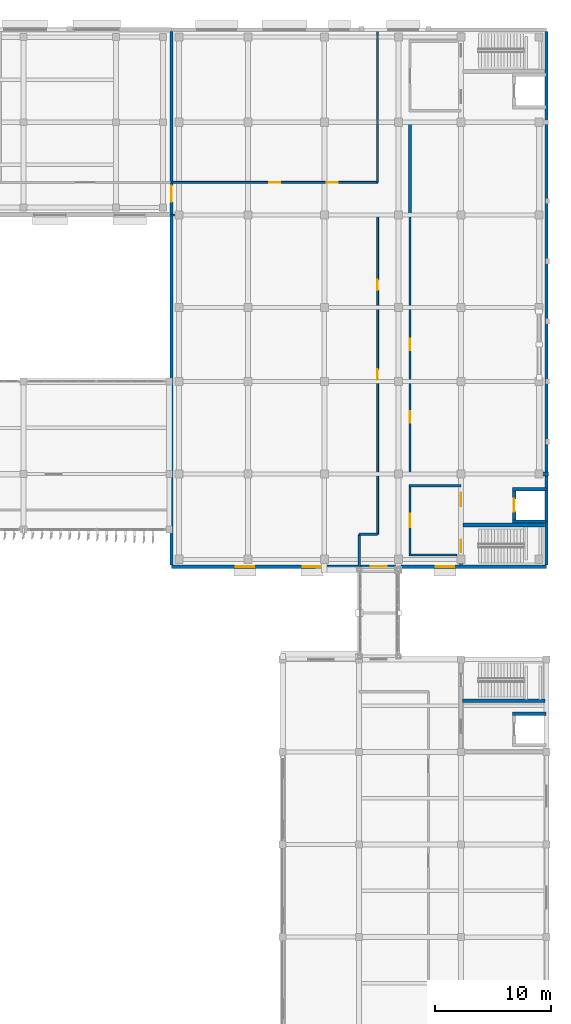
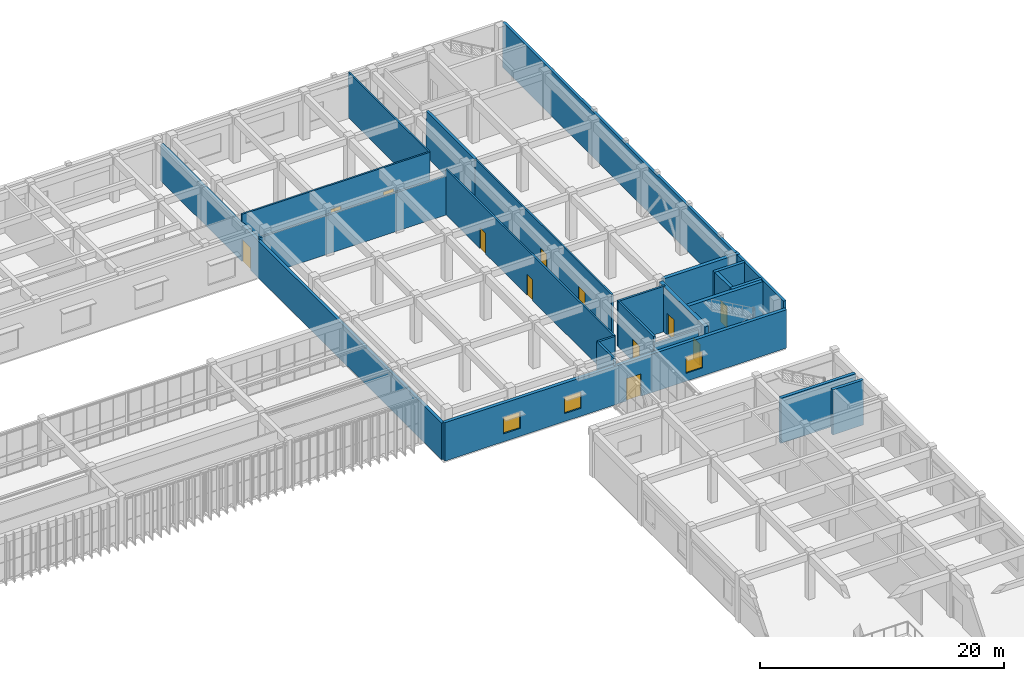
# One storey, part 44 of 64: 22 walls, 12 doors, 3 windows, 15 openings.
"""IFC4 building model written with IfcOpenShell, lengths in metres."""

from ifc_helpers import new_model, si_unit, direction, frame, frame_2d, origin, place, context, subcontext, project, spatial, rectangle, extrude, material, layer, layer_set, type_object, element, fill, save


model = new_model("IFC4")

# Units and contexts
model_context = context("Model", 3, precision=1e-05, world=origin(), true_north=direction((0.0, 1.0)))
body_context = subcontext(model_context, "Body", "Model", "MODEL_VIEW")
ifc_project = project(units=[si_unit("LENGTHUNIT", "METRE"), si_unit("AREAUNIT", "SQUARE_METRE"), si_unit("VOLUMEUNIT", "CUBIC_METRE"), si_unit("PLANEANGLEUNIT", "RADIAN"), si_unit("MASSUNIT", "GRAM", prefix="KILO")], contexts=[model_context])

# Site, building, storey
site_placement = place(None, origin())
site = spatial("IfcSite", under=ifc_project, at=site_placement, CompositionType="ELEMENT")
building_placement = place(site_placement, origin())
building = spatial("IfcBuilding", under=site, at=building_placement, Name="Cinchona Park Media Centre", CompositionType="ELEMENT")
storey_placement = place(building_placement, frame((0.0, 0.0, 5.39990234375)))
storey = spatial("IfcBuildingStorey", under=building, at=storey_placement, Name="L01", CompositionType="ELEMENT", Elevation=5.39990234375)

# Walls
ifc_material_1 = material(Name="Acoustic Double-Stud Gypsum Partition", Category="gypsum")
ifc_layer_1 = layer(ifc_material_1, 0.2099609375)
ifc_layer_set_1 = layer_set([ifc_layer_1], Name="Acoustic Double-Stud Gypsum Partition")
wall_type_1 = type_object("IfcWallType", Name="WALL-W-AC210", PredefinedType="PARTITIONING", material=ifc_layer_set_1)
wall_1_placement = place(storey_placement, frame((155.800048828125, 71.60009765625, 0.0), z_axis=(0.0, 0.0, 1.0), x_axis=(0.0, 1.0, 0.0)))
element("IfcWall", 1, at=wall_1_placement, inside=storey, type_object=wall_type_1, Name="Interior Wall W-AC210 L01", PredefinedType="PARTITIONING", context=body_context, shape_type="SweptSolid", body=[
    extrude(rectangle(XDim=2.7998046875, YDim=0.2099609375, at=frame_2d((1.39990234375, 0.0))), origin(), (0.0, 0.0, 1.0), 4.550048828125),
])
ifc_material_2 = material(Name="Acoustic Double-Stud Gypsum Partition", Category="gypsum")
ifc_layer_2 = layer(ifc_material_2, 0.239990234375)
ifc_layer_set_2 = layer_set([ifc_layer_2], Name="Acoustic Double-Stud Gypsum Partition")
wall_type_2 = type_object("IfcWallType", Name="WALL-W-AC240", PredefinedType="PARTITIONING", material=ifc_layer_set_2)
wall_2_placement = place(storey_placement, frame((160.199951171875, 110.0, 0.0), z_axis=(0.0, 0.0, 1.0), x_axis=(0.0, -1.0, 0.0)))
element("IfcWall", 2, at=wall_2_placement, inside=storey, type_object=wall_type_2, Name="Interior Wall W-AC240 L01", PredefinedType="PARTITIONING", context=body_context, shape_type="SweptSolid", body=[
    extrude(rectangle(XDim=8.0, YDim=0.239990234375, at=frame_2d((4.0, 0.0))), origin(), (0.0, 0.0, 1.0), 4.550048828125),
])
ifc_material_3 = material(Name="Concrete C40/50", Category="concrete")
ifc_layer_3 = layer(ifc_material_3, 0.300048828125)
ifc_layer_set_3 = layer_set([ifc_layer_3], Name="Concrete C40/50")
wall_type_3 = type_object("IfcWallType", Name="WALL-W-CR300", PredefinedType="SHEAR", material=ifc_layer_set_3)
wall_3_placement = place(storey_placement, frame((164.75, 60.0, 0.0), z_axis=(0.0, 0.0, 1.0), x_axis=(1.0, 0.0, 0.0)))
element("IfcWall", 3, at=wall_3_placement, inside=storey, type_object=wall_type_3, Name="Core Shear Wall W-CR300 L01", PredefinedType="SHEAR", context=body_context, shape_type="SweptSolid", body=[
    extrude(rectangle(XDim=7.10009765625, YDim=0.300048828125, at=frame_2d((3.550048828125, 0.0))), origin(), (0.0, 0.0, 1.0), 4.52001953125),
])
ifc_material_4 = material(Name="Concrete C40/50", Category="concrete")
ifc_layer_4 = layer(ifc_material_4, 0.35009765625)
ifc_layer_set_4 = layer_set([ifc_layer_4], Name="Concrete C40/50")
wall_type_4 = type_object("IfcWallType", Name="WALL-W-CR350", PredefinedType="SHEAR", material=ifc_layer_set_4)
wall_4_placement = place(storey_placement, frame((164.951904296875, 79.60009765625, 0.0), z_axis=(0.0, 0.0, 1.0), x_axis=(1.0, 0.0, 0.0)))
element("IfcWall", 4, at=wall_4_placement, inside=storey, type_object=wall_type_4, Name="Core Shear Wall W-CR350 L01", PredefinedType="SHEAR", context=body_context, shape_type="SweptSolid", body=[
    extrude(rectangle(XDim=7.22314453125, YDim=0.35009765625, at=frame_2d((3.611572265625, 0.0))), origin(), (0.0, 0.0, 1.0), 4.550048828125),
])

# Wall, openings, doors
wall_5_placement = place(storey_placement, frame((164.60009765625, 71.77490234375, 0.0), z_axis=(0.0, 0.0, 1.0), x_axis=(0.0, 1.0, 0.0)))
wall_5 = element("IfcWall", 5, at=wall_5_placement, inside=storey, type_object=wall_type_4, Name="Core Shear Wall W-CR350 L01", PredefinedType="SHEAR", context=body_context, shape_type="SweptSolid", body=[
    extrude(rectangle(XDim=7.47314453125, YDim=0.35009765625, at=frame_2d((3.736572265625, 0.0))), origin(), (0.0, 0.0, 1.0), 4.550048828125),
])
opening_1_placement = place(wall_5_placement, frame((1.074951171875, 0.0, 0.0)))
opening_1 = element("IfcOpeningElement", 6, at=opening_1_placement, cuts=wall_5, Name="Opening D058", PredefinedType="OPENING", context=body_context, shape_type="SweptSolid", body=[
    extrude(rectangle(XDim=1.10009765625, YDim=2.14990234375, at=frame_2d((0.550048828125, 1.074951171875))), frame((0.0, 0.18505859375, 0.0), z_axis=(0.0, -1.0, 0.0), x_axis=(1.0, 0.0, 0.0)), (0.0, 0.0, 1.0), 0.3701171875),
])
opening_2_placement = place(wall_5_placement, frame((5.050048828125, 0.0, 0.0)))
opening_2 = element("IfcOpeningElement", 7, at=opening_2_placement, cuts=wall_5, Name="Opening D059", PredefinedType="OPENING", context=body_context, shape_type="SweptSolid", body=[
    extrude(rectangle(XDim=1.14990234375, YDim=2.199951171875, at=frame_2d((0.574951171875, 1.10009765625))), frame((0.0, 0.18505859375, 0.0), z_axis=(0.0, -1.0, 0.0), x_axis=(1.0, 0.0, 0.0)), (0.0, 0.0, 1.0), 0.3701171875),
])
ifc_material_5 = material(Name="Insulated Fire-Rated Steel Door", Category="steel")
door_type_1 = type_object("IfcDoorType", Name="DOOR-DT-FF", OperationType="NOTDEFINED", PredefinedType="DOOR", material=ifc_material_5)
door_1_placement = place(opening_2_placement, origin())
door_1 = element("IfcDoor", 8, at=door_1_placement, inside=storey, type_object=door_type_1, Name="Interior Door D059", OperationType="SINGLE_SWING_LEFT", OverallHeight=2.199951171875, OverallWidth=1.14990234375, PredefinedType="DOOR", context=body_context, shape_type="SweptSolid", body=[
    extrude(rectangle(XDim=1.14990234375, YDim=2.199951171875, at=frame_2d((0.574951171875, 1.10009765625))), frame((0.0, 0.02490234375, 0.0), z_axis=(0.0, -1.0, 0.0), x_axis=(1.0, 0.0, 0.0)), (0.0, 0.0, 1.0), 0.050048828125),
])
fill(opening_2, door_1)
ifc_material_6 = material(Name="Insulated Fire-Rated Steel Door", Category="steel")
door_type_2 = type_object("IfcDoorType", Name="DOOR-DT-ST", OperationType="NOTDEFINED", PredefinedType="DOOR", material=ifc_material_6)
door_2_placement = place(opening_1_placement, origin())
door_2 = element("IfcDoor", 9, at=door_2_placement, inside=storey, type_object=door_type_2, Name="Interior Door D058", OperationType="SINGLE_SWING_RIGHT", OverallHeight=2.14990234375, OverallWidth=1.10009765625, PredefinedType="DOOR", context=body_context, shape_type="SweptSolid", body=[
    extrude(rectangle(XDim=1.10009765625, YDim=2.14990234375, at=frame_2d((0.550048828125, 1.074951171875))), frame((0.0, 0.02490234375, 0.0), z_axis=(0.0, -1.0, 0.0), x_axis=(1.0, 0.0, 0.0)), (0.0, 0.0, 1.0), 0.050048828125),
])
fill(opening_1, door_2)

# Wall
wall_6_placement = place(storey_placement, frame((164.77490234375, 75.199951171875, 0.0), z_axis=(0.0, 0.0, 1.0), x_axis=(1.0, 0.0, 0.0)))
element("IfcWall", 10, at=wall_6_placement, inside=storey, type_object=wall_type_4, Name="Core Shear Wall W-CR350 L01", PredefinedType="SHEAR", context=body_context, shape_type="SweptSolid", body=[
    extrude(rectangle(XDim=7.050048828125, YDim=0.35009765625, at=frame_2d((3.52490234375, 0.0))), origin(), (0.0, 0.0, 1.0), 4.550048828125),
])

# Wall, openings, door, windows
ifc_material_7 = material(Name="Precast concrete C40/50", Category="concrete")
ifc_layer_5 = layer(ifc_material_7, 0.320068359375)
ifc_layer_set_5 = layer_set([ifc_layer_5], Name="Precast concrete C40/50")
wall_type_5 = type_object("IfcWallType", Name="WALL-W-EX02", PredefinedType="SOLIDWALL", material=ifc_layer_set_5)
wall_7_placement = place(storey_placement, frame((172.0, 71.60009765625, 0.0), z_axis=(0.0, 0.0, 1.0), x_axis=(-1.0, 0.0, 0.0)))
wall_7 = element("IfcWall", 11, at=wall_7_placement, inside=storey, type_object=wall_type_5, Name="Exterior Wall W-EX02 V7 L01", PredefinedType="SOLIDWALL", context=body_context, shape_type="SweptSolid", body=[
    extrude(rectangle(XDim=32.39990234375, YDim=0.320068359375, at=frame_2d((16.199951171875, 0.0))), origin(), (0.0, 0.0, 1.0), 3.85009765625),
])
opening_3_placement = place(wall_7_placement, frame((7.9599609375, 0.0, 0.800048828125)))
opening_3 = element("IfcOpeningElement", 12, at=opening_3_placement, cuts=wall_7, Name="Opening WN25", PredefinedType="OPENING", context=body_context, shape_type="SweptSolid", body=[
    extrude(rectangle(XDim=1.60009765625, YDim=1.64990234375, at=frame_2d((0.800048828125, 0.824951171875))), frame((0.0, 0.169921875, 0.0), z_axis=(0.0, -1.0, 0.0), x_axis=(1.0, 0.0, 0.0)), (0.0, 0.0, 1.0), 0.340087890625),
])
opening_4_placement = place(wall_7_placement, frame((19.47998046875, 0.0, 0.800048828125)))
opening_4 = element("IfcOpeningElement", 13, at=opening_4_placement, cuts=wall_7, Name="Opening WN25", PredefinedType="OPENING", context=body_context, shape_type="SweptSolid", body=[
    extrude(rectangle(XDim=1.60009765625, YDim=1.64990234375, at=frame_2d((0.800048828125, 0.824951171875))), frame((0.0, 0.169921875, 0.0), z_axis=(0.0, -1.0, 0.0), x_axis=(1.0, 0.0, 0.0)), (0.0, 0.0, 1.0), 0.340087890625),
])
opening_5_placement = place(wall_7_placement, frame((25.239990234375, 0.0, 0.800048828125)))
opening_5 = element("IfcOpeningElement", 14, at=opening_5_placement, cuts=wall_7, Name="Opening WN25", PredefinedType="OPENING", context=body_context, shape_type="SweptSolid", body=[
    extrude(rectangle(XDim=1.60009765625, YDim=1.64990234375, at=frame_2d((0.800048828125, 0.824951171875))), frame((0.0, 0.169921875, 0.0), z_axis=(0.0, -1.0, 0.0), x_axis=(1.0, 0.0, 0.0)), (0.0, 0.0, 1.0), 0.340087890625),
])
opening_6_placement = place(wall_7_placement, frame((13.800048828125, 0.0, 0.0)))
opening_6 = element("IfcOpeningElement", 15, at=opening_6_placement, cuts=wall_7, Name="Opening D136", PredefinedType="OPENING", context=body_context, shape_type="SweptSolid", body=[
    extrude(rectangle(XDim=1.39990234375, YDim=2.25, at=frame_2d((0.699951171875, 1.125))), frame((0.0, 0.169921875, 0.0), z_axis=(0.0, -1.0, 0.0), x_axis=(1.0, 0.0, 0.0)), (0.0, 0.0, 1.0), 0.340087890625),
])
ifc_material_8 = material(Name="Acoustic Double-Seal Steel Door", Category="steel")
door_type_3 = type_object("IfcDoorType", Name="DOOR-DT-AC", OperationType="NOTDEFINED", PredefinedType="DOOR", material=ifc_material_8)
door_3_placement = place(opening_6_placement, origin())
door_3 = element("IfcDoor", 16, at=door_3_placement, inside=storey, type_object=door_type_3, Name="Interior Door D136", OperationType="SINGLE_SWING_RIGHT", OverallHeight=2.25, OverallWidth=1.39990234375, PredefinedType="DOOR", context=body_context, shape_type="SweptSolid", body=[
    extrude(rectangle(XDim=1.39990234375, YDim=2.25, at=frame_2d((0.699951171875, 1.125))), frame((0.0, 0.02490234375, 0.0), z_axis=(0.0, -1.0, 0.0), x_axis=(1.0, 0.0, 0.0)), (0.0, 0.0, 1.0), 0.050048828125),
])
fill(opening_6, door_3)
ifc_material_9 = material(Name="Thermally Broken Aluminium Solar-Control Window", Category="aluminium")
window_type = type_object("IfcWindowType", Name="WIN-WN25", PartitioningType="SINGLE_PANEL", PredefinedType="WINDOW", material=ifc_material_9)
window_1_placement = place(opening_3_placement, origin())
window_1 = element("IfcWindow", 17, at=window_1_placement, inside=storey, type_object=window_type, Name="Window WN25 L01", OverallHeight=1.64990234375, OverallWidth=1.60009765625, PartitioningType="SINGLE_PANEL", PredefinedType="WINDOW", context=body_context, shape_type="SweptSolid", body=[
    extrude(rectangle(XDim=1.60009765625, YDim=1.64990234375, at=frame_2d((0.800048828125, 0.824951171875))), frame((0.0, 0.030029296875, 0.0), z_axis=(0.0, -1.0, 0.0), x_axis=(1.0, 0.0, 0.0)), (0.0, 0.0, 1.0), 0.06005859375),
])
fill(opening_3, window_1)
window_2_placement = place(opening_4_placement, origin())
window_2 = element("IfcWindow", 18, at=window_2_placement, inside=storey, type_object=window_type, Name="Window WN25 L01", OverallHeight=1.64990234375, OverallWidth=1.60009765625, PartitioningType="SINGLE_PANEL", PredefinedType="WINDOW", context=body_context, shape_type="SweptSolid", body=[
    extrude(rectangle(XDim=1.60009765625, YDim=1.64990234375, at=frame_2d((0.800048828125, 0.824951171875))), frame((0.0, 0.030029296875, 0.0), z_axis=(0.0, -1.0, 0.0), x_axis=(1.0, 0.0, 0.0)), (0.0, 0.0, 1.0), 0.06005859375),
])
fill(opening_4, window_2)
window_3_placement = place(opening_5_placement, origin())
window_3 = element("IfcWindow", 19, at=window_3_placement, inside=storey, type_object=window_type, Name="Window WN25 L01", OverallHeight=1.64990234375, OverallWidth=1.60009765625, PartitioningType="SINGLE_PANEL", PredefinedType="WINDOW", context=body_context, shape_type="SweptSolid", body=[
    extrude(rectangle(XDim=1.60009765625, YDim=1.64990234375, at=frame_2d((0.800048828125, 0.824951171875))), frame((0.0, 0.030029296875, 0.0), z_axis=(0.0, -1.0, 0.0), x_axis=(1.0, 0.0, 0.0)), (0.0, 0.0, 1.0), 0.06005859375),
])
fill(opening_5, window_3)

# Wall, opening, door
ifc_material_10 = material(Name="Precast concrete C40/50", Category="concrete")
ifc_layer_6 = layer(ifc_material_10, 0.27490234375)
ifc_layer_set_6 = layer_set([ifc_layer_6], Name="Precast concrete C40/50")
wall_type_6 = type_object("IfcWallType", Name="WALL-W-EX03", PredefinedType="SOLIDWALL", material=ifc_layer_set_6)
wall_8_placement = place(storey_placement, frame((139.60009765625, 71.739990234375, 0.0), z_axis=(0.0, 0.0, 1.0), x_axis=(0.0, 1.0, 0.0)))
wall_8 = element("IfcWall", 20, at=wall_8_placement, inside=storey, type_object=wall_type_6, Name="Exterior Wall W-EX03 V7 L01", PredefinedType="SOLIDWALL", context=body_context, shape_type="SweptSolid", body=[
    extrude(rectangle(XDim=46.1201171875, YDim=0.27490234375, at=frame_2d((23.06005859375, 0.0))), origin(), (0.0, 0.0, 1.0), 3.690185546875),
])
opening_7_placement = place(wall_8_placement, frame((31.3798828125, 0.0, 0.0)))
opening_7 = element("IfcOpeningElement", 21, at=opening_7_placement, cuts=wall_8, Name="Opening D132", PredefinedType="OPENING", context=body_context, shape_type="SweptSolid", body=[
    extrude(rectangle(XDim=1.39990234375, YDim=2.25, at=frame_2d((0.699951171875, 1.125))), frame((0.0, 0.1474609375, 0.0), z_axis=(0.0, -1.0, 0.0), x_axis=(1.0, 0.0, 0.0)), (0.0, 0.0, 1.0), 0.294921875),
])
door_4_placement = place(opening_7_placement, origin())
door_4 = element("IfcDoor", 22, at=door_4_placement, inside=storey, type_object=door_type_3, Name="Interior Door D132", OperationType="SINGLE_SWING_RIGHT", OverallHeight=2.25, OverallWidth=1.39990234375, PredefinedType="DOOR", context=body_context, shape_type="SweptSolid", body=[
    extrude(rectangle(XDim=1.39990234375, YDim=2.25, at=frame_2d((0.699951171875, 1.125))), frame((0.0, 0.02490234375, 0.0), z_axis=(0.0, -1.0, 0.0), x_axis=(1.0, 0.0, 0.0)), (0.0, 0.0, 1.0), 0.050048828125),
])
fill(opening_7, door_4)

# Walls
ifc_material_11 = material(Name="Precast concrete C40/50", Category="concrete")
ifc_layer_7 = layer(ifc_material_11, 0.25)
ifc_layer_set_7 = layer_set([ifc_layer_7], Name="Precast concrete C40/50")
wall_type_7 = type_object("IfcWallType", Name="WALL-W-EX04", PredefinedType="SOLIDWALL", material=ifc_layer_set_7)
wall_9_placement = place(storey_placement, frame((172.0, 117.860107421875, 0.0), z_axis=(0.0, 0.0, 1.0), x_axis=(0.0, -1.0, 0.0)))
element("IfcWall", 23, at=wall_9_placement, inside=storey, type_object=wall_type_7, Name="Exterior Wall W-EX04 V7 L01", PredefinedType="SOLIDWALL", context=body_context, shape_type="SweptSolid", body=[
    extrude(rectangle(XDim=46.1201171875, YDim=0.25, at=frame_2d((23.06005859375, 0.0))), origin(), (0.0, 0.0, 1.0), 4.550048828125),
])
ifc_material_12 = material(Name="Fire-Rated Gypsum Stud Partition", Category="gypsum")
ifc_layer_8 = layer(ifc_material_12, 0.14990234375)
ifc_layer_set_8 = layer_set([ifc_layer_8], Name="Fire-Rated Gypsum Stud Partition")
wall_type_8 = type_object("IfcWallType", Name="WALL-W-PT150", PredefinedType="PARTITIONING", material=ifc_layer_set_8)
wall_10_placement = place(storey_placement, frame((157.39990234375, 104.800048828125, 0.0), z_axis=(0.0, 0.0, 1.0), x_axis=(0.0, 1.0, 0.0)))
element("IfcWall", 24, at=wall_10_placement, inside=storey, type_object=wall_type_8, Name="Interior Wall W-PT150 L01", PredefinedType="PARTITIONING", context=body_context, shape_type="SweptSolid", body=[
    extrude(rectangle(XDim=13.199951171875, YDim=0.14990234375, at=frame_2d((6.60009765625, 0.0))), origin(), (0.0, 0.0, 1.0), 4.550048828125),
])

# Wall, openings, doors
wall_11_placement = place(storey_placement, frame((160.199951171875, 102.0, 0.0), z_axis=(0.0, 0.0, 1.0), x_axis=(0.0, -1.0, 0.0)))
wall_11 = element("IfcWall", 25, at=wall_11_placement, inside=storey, type_object=wall_type_8, Name="Interior Wall W-PT150 L01", PredefinedType="PARTITIONING", context=body_context, shape_type="SweptSolid", body=[
    extrude(rectangle(XDim=22.39990234375, YDim=0.14990234375, at=frame_2d((11.199951171875, 0.0))), origin(), (0.0, 0.0, 1.0), 4.550048828125),
])
opening_8_placement = place(wall_11_placement, frame((10.68994140625, 0.0, 0.0)))
opening_8 = element("IfcOpeningElement", 26, at=opening_8_placement, cuts=wall_11, Name="Opening D258", PredefinedType="OPENING", context=body_context, shape_type="SweptSolid", body=[
    extrude(rectangle(XDim=1.02001953125, YDim=2.10009765625, at=frame_2d((0.510009765625, 1.050048828125))), frame((0.0, 0.0849609375, 0.0), z_axis=(0.0, -1.0, 0.0), x_axis=(1.0, 0.0, 0.0)), (0.0, 0.0, 1.0), 0.169921875),
])
opening_9_placement = place(wall_11_placement, frame((16.9619140625, 0.0, 0.0)))
opening_9 = element("IfcOpeningElement", 27, at=opening_9_placement, cuts=wall_11, Name="Opening D259", PredefinedType="OPENING", context=body_context, shape_type="SweptSolid", body=[
    extrude(rectangle(XDim=1.02001953125, YDim=2.10009765625, at=frame_2d((0.510009765625, 1.050048828125))), frame((0.0, 0.0849609375, 0.0), z_axis=(0.0, -1.0, 0.0), x_axis=(1.0, 0.0, 0.0)), (0.0, 0.0, 1.0), 0.169921875),
])
ifc_material_13 = material(Name="Solid-Core Timber Acoustic Door", Category="wood")
door_type_4 = type_object("IfcDoorType", Name="DOOR-DT05", OperationType="NOTDEFINED", PredefinedType="DOOR", material=ifc_material_13)
door_5_placement = place(opening_8_placement, origin())
door_5 = element("IfcDoor", 28, at=door_5_placement, inside=storey, type_object=door_type_4, Name="Interior Door D258", OperationType="SINGLE_SWING_RIGHT", OverallHeight=2.10009765625, OverallWidth=1.02001953125, PredefinedType="DOOR", context=body_context, shape_type="SweptSolid", body=[
    extrude(rectangle(XDim=1.02001953125, YDim=2.10009765625, at=frame_2d((0.510009765625, 1.050048828125))), frame((0.0, 0.02490234375, 0.0), z_axis=(0.0, -1.0, 0.0), x_axis=(1.0, 0.0, 0.0)), (0.0, 0.0, 1.0), 0.050048828125),
])
fill(opening_8, door_5)
door_6_placement = place(opening_9_placement, origin())
door_6 = element("IfcDoor", 29, at=door_6_placement, inside=storey, type_object=door_type_4, Name="Interior Door D259", OperationType="SINGLE_SWING_LEFT", OverallHeight=2.10009765625, OverallWidth=1.02001953125, PredefinedType="DOOR", context=body_context, shape_type="SweptSolid", body=[
    extrude(rectangle(XDim=1.02001953125, YDim=2.10009765625, at=frame_2d((0.510009765625, 1.050048828125))), frame((0.0, 0.02490234375, 0.0), z_axis=(0.0, -1.0, 0.0), x_axis=(1.0, 0.0, 0.0)), (0.0, 0.0, 1.0), 0.050048828125),
])
fill(opening_9, door_6)

ifc_material_14 = material(Name="Fire-Rated Gypsum Stud Partition", Category="gypsum")
ifc_layer_9 = layer(ifc_material_14, 0.1650390625)
ifc_layer_set_9 = layer_set([ifc_layer_9], Name="Fire-Rated Gypsum Stud Partition")
wall_type_9 = type_object("IfcWallType", Name="WALL-W-PT165", PredefinedType="PARTITIONING", material=ifc_layer_set_9)
wall_12_placement = place(storey_placement, frame((139.60009765625, 104.800048828125, 0.0), z_axis=(0.0, 0.0, 1.0), x_axis=(1.0, 0.0, 0.0)))
wall_12 = element("IfcWall", 30, at=wall_12_placement, inside=storey, type_object=wall_type_9, Name="Interior Wall W-PT165 L01", PredefinedType="PARTITIONING", context=body_context, shape_type="SweptSolid", body=[
    extrude(rectangle(XDim=17.7998046875, YDim=0.1650390625, at=frame_2d((8.89990234375, 0.0))), origin(), (0.0, 0.0, 1.0), 4.550048828125),
])
opening_10_placement = place(wall_12_placement, frame((8.425048828125, 0.0, 0.0)))
opening_10 = element("IfcOpeningElement", 31, at=opening_10_placement, cuts=wall_12, Name="Opening D256", PredefinedType="OPENING", context=body_context, shape_type="SweptSolid", body=[
    extrude(rectangle(XDim=0.949951171875, YDim=2.10009765625, at=frame_2d((0.47509765625, 1.050048828125))), frame((0.0, 0.092529296875, 0.0), z_axis=(0.0, -1.0, 0.0), x_axis=(1.0, 0.0, 0.0)), (0.0, 0.0, 1.0), 0.18505859375),
])
opening_11_placement = place(wall_12_placement, frame((13.408935546875, 0.0, 0.0)))
opening_11 = element("IfcOpeningElement", 32, at=opening_11_placement, cuts=wall_12, Name="Opening D257", PredefinedType="OPENING", context=body_context, shape_type="SweptSolid", body=[
    extrude(rectangle(XDim=0.949951171875, YDim=2.10009765625, at=frame_2d((0.47509765625, 1.050048828125))), frame((0.0, 0.092529296875, 0.0), z_axis=(0.0, -1.0, 0.0), x_axis=(1.0, 0.0, 0.0)), (0.0, 0.0, 1.0), 0.18505859375),
])
ifc_material_15 = material(Name="Solid-Core Timber Acoustic Door", Category="wood")
door_type_5 = type_object("IfcDoorType", Name="DOOR-DT02", OperationType="NOTDEFINED", PredefinedType="DOOR", material=ifc_material_15)
door_7_placement = place(opening_10_placement, origin())
door_7 = element("IfcDoor", 33, at=door_7_placement, inside=storey, type_object=door_type_5, Name="Interior Door D256", OperationType="SINGLE_SWING_RIGHT", OverallHeight=2.10009765625, OverallWidth=0.949951171875, PredefinedType="DOOR", context=body_context, shape_type="SweptSolid", body=[
    extrude(rectangle(XDim=0.949951171875, YDim=2.10009765625, at=frame_2d((0.47509765625, 1.050048828125))), frame((0.0, 0.02490234375, 0.0), z_axis=(0.0, -1.0, 0.0), x_axis=(1.0, 0.0, 0.0)), (0.0, 0.0, 1.0), 0.050048828125),
])
fill(opening_10, door_7)
door_8_placement = place(opening_11_placement, origin())
door_8 = element("IfcDoor", 34, at=door_8_placement, inside=storey, type_object=door_type_5, Name="Interior Door D257", OperationType="SINGLE_SWING_LEFT", OverallHeight=2.10009765625, OverallWidth=0.949951171875, PredefinedType="DOOR", context=body_context, shape_type="SweptSolid", body=[
    extrude(rectangle(XDim=0.949951171875, YDim=2.10009765625, at=frame_2d((0.47509765625, 1.050048828125))), frame((0.0, 0.02490234375, 0.0), z_axis=(0.0, -1.0, 0.0), x_axis=(1.0, 0.0, 0.0)), (0.0, 0.0, 1.0), 0.050048828125),
])
fill(opening_11, door_8)

wall_13_placement = place(storey_placement, frame((157.39990234375, 74.39990234375, 0.0), z_axis=(0.0, 0.0, 1.0), x_axis=(0.0, 1.0, 0.0)))
wall_13 = element("IfcWall", 35, at=wall_13_placement, inside=storey, type_object=wall_type_9, Name="Interior Wall W-PT165 L01", PredefinedType="PARTITIONING", context=body_context, shape_type="SweptSolid", body=[
    extrude(rectangle(XDim=27.60009765625, YDim=0.1650390625, at=frame_2d((13.800048828125, 0.0))), origin(), (0.0, 0.0, 1.0), 4.550048828125),
])
opening_12_placement = place(wall_13_placement, frame((13.340087890625, 0.0, 0.0)))
opening_12 = element("IfcOpeningElement", 36, at=opening_12_placement, cuts=wall_13, Name="Opening D254", PredefinedType="OPENING", context=body_context, shape_type="SweptSolid", body=[
    extrude(rectangle(XDim=0.919921875, YDim=2.10009765625, at=frame_2d((0.4599609375, 1.050048828125))), frame((0.0, 0.092529296875, 0.0), z_axis=(0.0, -1.0, 0.0), x_axis=(1.0, 0.0, 0.0)), (0.0, 0.0, 1.0), 0.18505859375),
])
opening_13_placement = place(wall_13_placement, frame((21.068115234375, 0.0, 0.0)))
opening_13 = element("IfcOpeningElement", 37, at=opening_13_placement, cuts=wall_13, Name="Opening D255", PredefinedType="OPENING", context=body_context, shape_type="SweptSolid", body=[
    extrude(rectangle(XDim=0.919921875, YDim=2.10009765625, at=frame_2d((0.4599609375, 1.050048828125))), frame((0.0, 0.092529296875, 0.0), z_axis=(0.0, -1.0, 0.0), x_axis=(1.0, 0.0, 0.0)), (0.0, 0.0, 1.0), 0.18505859375),
])
ifc_material_16 = material(Name="Solid-Core Timber Acoustic Door", Category="wood")
door_type_6 = type_object("IfcDoorType", Name="DOOR-DT01", OperationType="NOTDEFINED", PredefinedType="DOOR", material=ifc_material_16)
door_9_placement = place(opening_12_placement, origin())
door_9 = element("IfcDoor", 38, at=door_9_placement, inside=storey, type_object=door_type_6, Name="Interior Door D254", OperationType="SINGLE_SWING_RIGHT", OverallHeight=2.10009765625, OverallWidth=0.919921875, PredefinedType="DOOR", context=body_context, shape_type="SweptSolid", body=[
    extrude(rectangle(XDim=0.919921875, YDim=2.10009765625, at=frame_2d((0.4599609375, 1.050048828125))), frame((0.0, 0.02490234375, 0.0), z_axis=(0.0, -1.0, 0.0), x_axis=(1.0, 0.0, 0.0)), (0.0, 0.0, 1.0), 0.050048828125),
])
fill(opening_12, door_9)
door_10_placement = place(opening_13_placement, origin())
door_10 = element("IfcDoor", 39, at=door_10_placement, inside=storey, type_object=door_type_6, Name="Interior Door D255", OperationType="SINGLE_SWING_LEFT", OverallHeight=2.10009765625, OverallWidth=0.919921875, PredefinedType="DOOR", context=body_context, shape_type="SweptSolid", body=[
    extrude(rectangle(XDim=0.919921875, YDim=2.10009765625, at=frame_2d((0.4599609375, 1.050048828125))), frame((0.0, 0.02490234375, 0.0), z_axis=(0.0, -1.0, 0.0), x_axis=(1.0, 0.0, 0.0)), (0.0, 0.0, 1.0), 0.050048828125),
])
fill(opening_13, door_10)

# Walls
ifc_material_17 = material(Name="Fire-Rated Gypsum Stud Partition", Category="gypsum")
ifc_layer_10 = layer(ifc_material_17, 0.18994140625)
ifc_layer_set_10 = layer_set([ifc_layer_10], Name="Fire-Rated Gypsum Stud Partition")
wall_type_10 = type_object("IfcWallType", Name="WALL-W-PT190", PredefinedType="PARTITIONING", material=ifc_layer_set_10)
wall_14_placement = place(storey_placement, frame((160.10498046875, 72.60009765625, 0.0), z_axis=(0.0, 0.0, 1.0), x_axis=(1.0, 0.0, 0.0)))
element("IfcWall", 40, at=wall_14_placement, inside=storey, type_object=wall_type_10, Name="Interior Wall W-PT190 L01", PredefinedType="PARTITIONING", context=body_context, shape_type="SweptSolid", body=[
    extrude(rectangle(XDim=4.14306640625, YDim=0.18994140625, at=frame_2d((2.071533203125, 0.0))), origin(), (0.0, 0.0, 1.0), 3.900146484375),
])
wall_15_placement = place(storey_placement, frame((160.10498046875, 78.60009765625, 0.0), z_axis=(0.0, 0.0, 1.0), x_axis=(1.0, 0.0, 0.0)))
element("IfcWall", 41, at=wall_15_placement, inside=storey, type_object=wall_type_10, Name="Interior Wall W-PT190 L01", PredefinedType="PARTITIONING", context=body_context, shape_type="SweptSolid", body=[
    extrude(rectangle(XDim=4.4951171875, YDim=0.18994140625, at=frame_2d((2.24755859375, 0.0))), origin(), (0.0, 0.0, 1.0), 4.550048828125),
])

# Wall, opening, door
wall_16_placement = place(storey_placement, frame((160.199951171875, 72.695068359375, 0.0), z_axis=(0.0, 0.0, 1.0), x_axis=(0.0, 1.0, 0.0)))
wall_16 = element("IfcWall", 42, at=wall_16_placement, inside=storey, type_object=wall_type_10, Name="Interior Wall W-PT190 L01", PredefinedType="PARTITIONING", context=body_context, shape_type="SweptSolid", body=[
    extrude(rectangle(XDim=5.809814453125, YDim=0.18994140625, at=frame_2d((2.90478515625, 0.0))), origin(), (0.0, 0.0, 1.0), 4.550048828125),
])
opening_14_placement = place(wall_16_placement, frame((2.330078125, 0.0, 0.0)))
opening_14 = element("IfcOpeningElement", 43, at=opening_14_placement, cuts=wall_16, Name="Opening D060", PredefinedType="OPENING", context=body_context, shape_type="SweptSolid", body=[
    extrude(rectangle(XDim=1.14990234375, YDim=2.199951171875, at=frame_2d((0.574951171875, 1.10009765625))), frame((0.0, 0.10498046875, 0.0), z_axis=(0.0, -1.0, 0.0), x_axis=(1.0, 0.0, 0.0)), (0.0, 0.0, 1.0), 0.2099609375),
])
door_11_placement = place(opening_14_placement, origin())
door_11 = element("IfcDoor", 44, at=door_11_placement, inside=storey, type_object=door_type_1, Name="Interior Door D060", OperationType="SINGLE_SWING_RIGHT", OverallHeight=2.199951171875, OverallWidth=1.14990234375, PredefinedType="DOOR", context=body_context, shape_type="SweptSolid", body=[
    extrude(rectangle(XDim=1.14990234375, YDim=2.199951171875, at=frame_2d((0.574951171875, 1.10009765625))), frame((0.0, 0.02490234375, 0.0), z_axis=(0.0, -1.0, 0.0), x_axis=(1.0, 0.0, 0.0)), (0.0, 0.0, 1.0), 0.050048828125),
])
fill(opening_14, door_11)

# Walls
wall_17_placement = place(storey_placement, frame((157.39990234375, 102.0, 0.0), z_axis=(0.0, 0.0, 1.0), x_axis=(-1.0, 0.0, 0.0)))
element("IfcWall", 45, at=wall_17_placement, inside=storey, type_object=wall_type_10, Name="Interior Wall W-PT190 L01", PredefinedType="PARTITIONING", context=body_context, shape_type="SweptSolid", body=[
    extrude(rectangle(XDim=17.7998046875, YDim=0.18994140625, at=frame_2d((8.89990234375, 0.0))), origin(), (0.0, 0.0, 1.0), 3.900146484375),
])
wall_18_placement = place(storey_placement, frame((155.800048828125, 74.39990234375, 0.0), z_axis=(0.0, 0.0, 1.0), x_axis=(1.0, 0.0, 0.0)))
element("IfcWall", 46, at=wall_18_placement, inside=storey, type_object=wall_type_10, Name="Interior Wall W-PT190 L01", PredefinedType="PARTITIONING", context=body_context, shape_type="SweptSolid", body=[
    extrude(rectangle(XDim=1.599853515625, YDim=0.18994140625, at=frame_2d((0.7998046875, 0.0))), origin(), (0.0, 0.0, 1.0), 4.550048828125),
])
ifc_material_18 = material(Name="Concrete C40/50", Category="concrete")
ifc_layer_11 = layer(ifc_material_18, 0.2900390625)
ifc_layer_set_11 = layer_set([ifc_layer_11], Name="Concrete C40/50")
wall_type_11 = type_object("IfcWallType", Name="WALL-W-SH290", PredefinedType="SHEAR", material=ifc_layer_set_11)
for number, where, z_axis, x_axis, name in (
    (47, (169.054931640625, 75.5, 0.0), (0.0, 0.0, 1.0), (1.0, 0.0, 0.0), "Core Shear Wall W-SH290 L01"),
    (48, (169.054931640625, 78.300048828125, 0.0), (0.0, 0.0, 1.0), (1.0, 0.0, 0.0), "Core Shear Wall W-SH290 L01"),
):
    element("IfcWall", number, at=place(storey_placement, frame(where, z_axis=z_axis, x_axis=x_axis)), inside=storey, type_object=wall_type_11, Name=name, PredefinedType="SHEAR", context=body_context, shape_type="SweptSolid", body=[
        extrude(rectangle(XDim=2.89013671875, YDim=0.2900390625, at=frame_2d((1.445068359375, 0.0))), origin(), (0.0, 0.0, 1.0), 4.550048828125),
    ])

# Wall, opening, door
wall_19_placement = place(storey_placement, frame((169.199951171875, 75.64501953125, 0.0), z_axis=(0.0, 0.0, 1.0), x_axis=(0.0, 1.0, 0.0)))
wall_19 = element("IfcWall", 49, at=wall_19_placement, inside=storey, type_object=wall_type_11, Name="Core Shear Wall W-SH290 L01", PredefinedType="SHEAR", context=body_context, shape_type="SweptSolid", body=[
    extrude(rectangle(XDim=2.510009765625, YDim=0.2900390625, at=frame_2d((1.2548828125, 0.0))), origin(), (0.0, 0.0, 1.0), 4.550048828125),
])
opening_15_placement = place(wall_19_placement, frame((0.705078125, 0.0, 0.0)))
opening_15 = element("IfcOpeningElement", 50, at=opening_15_placement, cuts=wall_19, Name="Opening LD15", PredefinedType="OPENING", context=body_context, shape_type="SweptSolid", body=[
    extrude(rectangle(XDim=1.10009765625, YDim=2.14990234375, at=frame_2d((0.550048828125, 1.074951171875))), frame((0.0, 0.155029296875, 0.0), z_axis=(0.0, -1.0, 0.0), x_axis=(1.0, 0.0, 0.0)), (0.0, 0.0, 1.0), 0.31005859375),
])
ifc_material_19 = material(Name="Stainless Steel Sliding Lift Landing Door", Category="steel")
door_type_7 = type_object("IfcDoorType", Name="DOOR-DT-LD1", OperationType="NOTDEFINED", PredefinedType="DOOR", material=ifc_material_19)
door_12_placement = place(opening_15_placement, origin())
door_12 = element("IfcDoor", 51, at=door_12_placement, inside=storey, type_object=door_type_7, Name="Lift Landing Door LD15", OperationType="SLIDING_TO_LEFT", OverallHeight=2.14990234375, OverallWidth=1.10009765625, PredefinedType="DOOR", context=body_context, shape_type="SweptSolid", body=[
    extrude(rectangle(XDim=1.10009765625, YDim=2.14990234375, at=frame_2d((0.550048828125, 1.074951171875))), frame((0.0, 0.02490234375, 0.0), z_axis=(0.0, -1.0, 0.0), x_axis=(1.0, 0.0, 0.0)), (0.0, 0.0, 1.0), 0.050048828125),
])
fill(opening_15, door_12)

# Wall
wall_20_placement = place(storey_placement, frame((169.054931640625, 58.89990234375, 0.0), z_axis=(0.0, 0.0, 1.0), x_axis=(1.0, 0.0, 0.0)))
element("IfcWall", 52, at=wall_20_placement, inside=storey, type_object=wall_type_11, Name="Core Shear Wall W-SH290 L01", PredefinedType="SHEAR", context=body_context, shape_type="SweptSolid", body=[
    extrude(rectangle(XDim=2.89013671875, YDim=0.2900390625, at=frame_2d((1.445068359375, 0.0))), origin(), (0.0, 0.0, 1.0), 4.52001953125),
])

save(model, "model.ifc")
